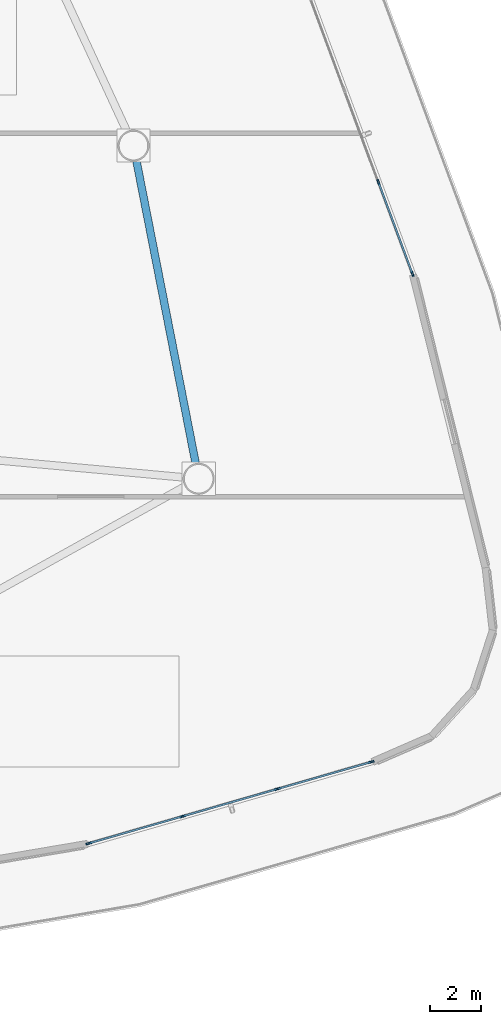
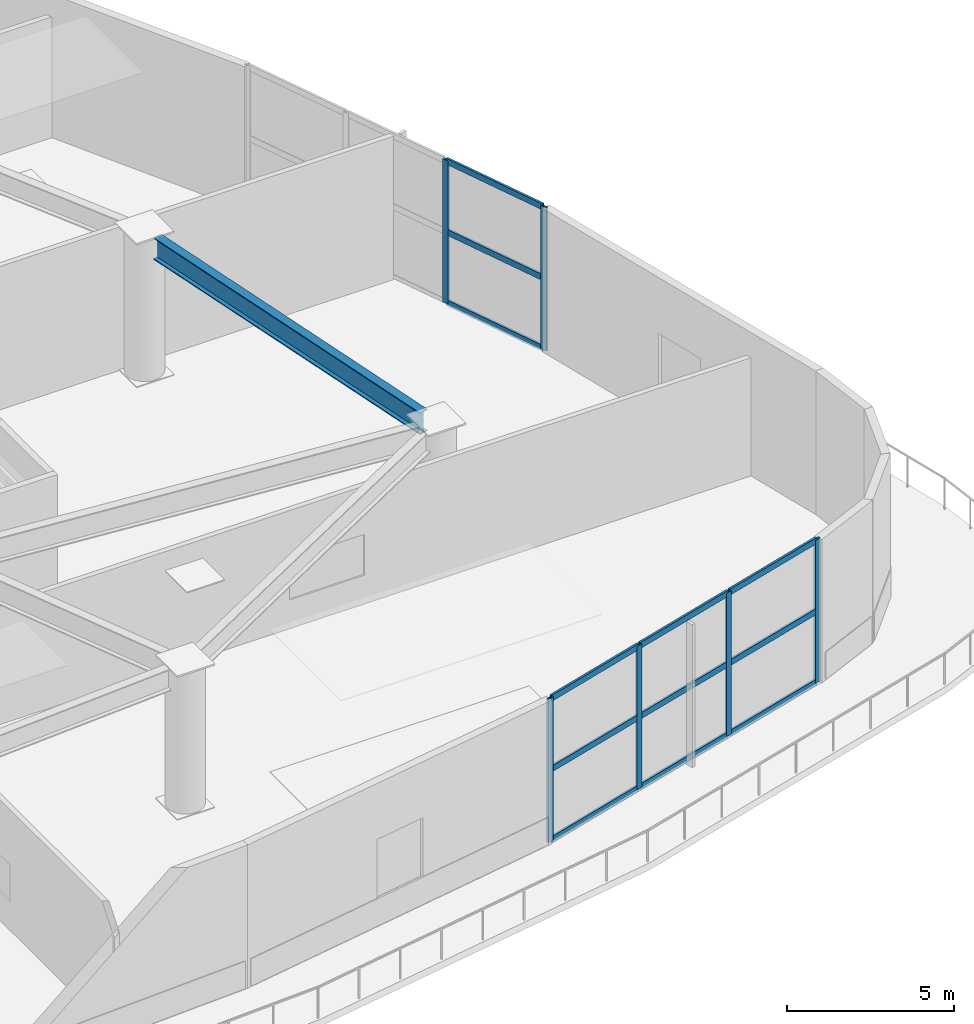
# One storey, part 8 of 26: 18 members, 1 beam, 2 elements without a shape of their own.
"""IFC4 building model written with IfcOpenShell, lengths in metres."""

from ifc_helpers import new_model, si_unit, direction, frame, origin, origin_2d, place, context, subcontext, project, spatial, hollow_rectangle, i_section, extrude, source, transform, mapped, material, layer, layer_set, material_profile, profile_set, type_object, type_shapes, element, aggregate, save


model = new_model("IFC4")

# Units and contexts
model_context = context("Model", 3, precision=1e-05, world=origin(), true_north=direction((0.0, 1.0)))
body_context = subcontext(model_context, "Body", "Model", "MODEL_VIEW")
ifc_project = project(units=[si_unit("LENGTHUNIT", "METRE"), si_unit("AREAUNIT", "SQUARE_METRE"), si_unit("VOLUMEUNIT", "CUBIC_METRE"), si_unit("PLANEANGLEUNIT", "RADIAN"), si_unit("MASSUNIT", "GRAM", prefix="KILO")], contexts=[model_context])

# Site, building, storey
site_placement = place(None, origin())
site = spatial("IfcSite", under=ifc_project, at=site_placement, CompositionType="ELEMENT")
building_placement = place(site_placement, origin())
building = spatial("IfcBuilding", under=site, at=building_placement, Name="Tavelor Broadcast Tower", CompositionType="ELEMENT")
storey_placement = place(building_placement, frame((0.0, 0.0, 5.800048828125)))
storey = spatial("IfcBuildingStorey", under=building, at=storey_placement, Name="L01", CompositionType="ELEMENT", Elevation=5.800048828125)

# Beam
ifc_material_1 = material(Name="Steel S355", Category="steel")
ifc_material_profile_1 = material_profile(ifc_material_1, i_section(OverallWidth=0.300048828125, OverallDepth=0.800048828125, WebThickness=0.017578125, FlangeThickness=0.032958984375, at=origin_2d()), Name="HEB 800")
ifc_profile_set_1 = profile_set([ifc_material_profile_1], Name="Steel S355")
beam_type = type_object("IfcBeamType", Name="Podium Spandrel Beam HEB800", PredefinedType="SPANDREL", material=ifc_profile_set_1)
beam_placement = place(storey_placement, frame((77.688720703125, 31.569091796875, 4.849853515625), z_axis=(-0.192144879801, 0.981366570231, 0.0), x_axis=(-0.981366570231, -0.192144879801, 0.0)))
element("IfcBeam", 1, at=beam_placement, inside=storey, type_object=beam_type, Name="L01 Podium Spandrel Girder 9", PredefinedType="SPANDREL", context=body_context, shape_type="SweptSolid", body=[
    extrude(i_section(OverallWidth=0.300048828125, OverallDepth=0.800048828125, WebThickness=0.017578125, FlangeThickness=0.032958984375, at=origin_2d()), origin(), (0.0, 0.0, 1.0), 12.158447265625),
])

# Curtain wall, members
ifc_material_2 = material(Name="Architectural Anodized Aluminium", Category="aluminium")
ifc_layer = layer(ifc_material_2, 0.219970703125)
ifc_layer_set = layer_set([ifc_layer], Name="Architectural Anodized Aluminium")
curtain_wall_type = type_object("IfcCurtainWallType", Name="Podium Double-Height Broadcast Curtain Wall CW01", PredefinedType="NOTDEFINED", material=ifc_layer_set)
curtain_wall_1_placement = place(storey_placement, origin())
curtain_wall_1 = element("IfcCurtainWall", 2, at=curtain_wall_1_placement, inside=storey, type_object=curtain_wall_type, Name="L01 Curtain Wall CW01 Run 4", PredefinedType="NOTDEFINED")
ifc_material_profile_2 = material_profile(ifc_material_2, hollow_rectangle(XDim=0.074951171875, YDim=0.219970703125, WallThickness=0.02197265625, at=origin_2d()), Name="RHS 75x220x22")
ifc_profile_set_2 = profile_set([ifc_material_profile_2], Name="Architectural Anodized Aluminium")
member_type_1 = type_object("IfcMemberType", Name="CW01 Extruded Aluminium Mullion 75x220", PredefinedType="MULLION", material=ifc_profile_set_2)
shared_shape_1 = source(origin(), body_context, "Body", "SweptSolid", [
    extrude(hollow_rectangle(XDim=0.074951171875, YDim=0.219970703125, WallThickness=0.02197265625, at=origin_2d()), origin(), (0.0, 0.0, 1.0), 5.25),
])
type_shapes(member_type_1, [shared_shape_1])
member_1_placement = place(storey_placement, frame((73.48388671875, 16.695068359375, 0.0), z_axis=(0.0, 0.0, 1.0), x_axis=(-0.276980615737, 0.960875506247, 0.0)))
member_1 = element("IfcMember", 3, at=member_1_placement, type_object=member_type_1, Name="CW01 mullion 1", PredefinedType="MULLION", context=body_context, shape_type="MappedRepresentation", body=[
    mapped(shared_shape_1, transform((0.0, 0.0, 0.0), scale=1.0)),
])
member_2_placement = place(storey_placement, frame((77.168701171875, 17.757080078125, 0.0), z_axis=(0.0, 0.0, 1.0), x_axis=(-0.276980615737, 0.960875506247, 0.0)))
member_2 = element("IfcMember", 4, at=member_2_placement, type_object=member_type_1, Name="CW01 mullion 2", PredefinedType="MULLION", context=body_context, shape_type="MappedRepresentation", body=[
    mapped(shared_shape_1, transform((0.0, 0.0, 0.0), scale=1.0)),
])
member_3_placement = place(storey_placement, frame((80.889404296875, 18.82958984375, 0.0), z_axis=(0.0, 0.0, 1.0), x_axis=(-0.276980615737, 0.960875506247, 0.0)))
member_3 = element("IfcMember", 5, at=member_3_placement, type_object=member_type_1, Name="CW01 mullion 3", PredefinedType="MULLION", context=body_context, shape_type="MappedRepresentation", body=[
    mapped(shared_shape_1, transform((0.0, 0.0, 0.0), scale=1.0)),
])
member_4_placement = place(storey_placement, frame((84.573974609375, 19.891845703125, 0.0), z_axis=(0.0, 0.0, 1.0), x_axis=(-0.276980615737, 0.960875506247, 0.0)))
member_4 = element("IfcMember", 6, at=member_4_placement, type_object=member_type_1, Name="CW01 mullion 4", PredefinedType="MULLION", context=body_context, shape_type="MappedRepresentation", body=[
    mapped(shared_shape_1, transform((0.0, 0.0, 0.0), scale=1.0)),
])

curtain_wall_2_placement = place(storey_placement, origin())
curtain_wall_2 = element("IfcCurtainWall", 7, at=curtain_wall_2_placement, inside=storey, type_object=curtain_wall_type, Name="L01 Curtain Wall CW01 Run 5", PredefinedType="NOTDEFINED")
member_5_placement = place(storey_placement, frame((86.185546875, 39.0390625, 0.0), z_axis=(0.0, 0.0, 1.0), x_axis=(-0.937574004687, -0.347785833144, 0.0)))
member_5 = element("IfcMember", 8, at=member_5_placement, type_object=member_type_1, Name="CW01 mullion 1", PredefinedType="MULLION", context=body_context, shape_type="MappedRepresentation", body=[
    mapped(shared_shape_1, transform((0.0, 0.0, 0.0), scale=1.0)),
])
member_6_placement = place(storey_placement, frame((84.851806640625, 42.634765625, 0.0), z_axis=(0.0, 0.0, 1.0), x_axis=(-0.937574004687, -0.347785833144, 0.0)))
member_6 = element("IfcMember", 9, at=member_6_placement, type_object=member_type_1, Name="CW01 mullion 2", PredefinedType="MULLION", context=body_context, shape_type="MappedRepresentation", body=[
    mapped(shared_shape_1, transform((0.0, 0.0, 0.0), scale=1.0)),
])

# Member
ifc_material_profile_3 = material_profile(ifc_material_2, hollow_rectangle(XDim=0.074951171875, YDim=0.219970703125, WallThickness=0.02197265625, at=origin_2d()), Name="RHS 75x220x22")
ifc_profile_set_3 = profile_set([ifc_material_profile_3], Name="Architectural Anodized Aluminium")
member_type_2 = type_object("IfcMemberType", Name="CW01 Extruded Aluminium Transom 75x220", PredefinedType="USERDEFINED", material=ifc_profile_set_3)
shared_shape_2 = source(origin(), body_context, "Body", "SweptSolid", [
    extrude(hollow_rectangle(XDim=0.074951171875, YDim=0.219970703125, WallThickness=0.02197265625, at=origin_2d()), origin(), (0.0, 0.0, 1.0), 3.759765625),
])
member_7_placement = place(storey_placement, frame((73.52001953125, 16.705322265625, 0.037353515625), z_axis=(0.960864484688, 0.277018847853, 0.0), x_axis=(-0.277018847853, 0.960864484688, 0.0)))
member_7 = element("IfcMember", 10, at=member_7_placement, type_object=member_type_2, Name="CW01 transom 1.1", ObjectType="TRANSOM", PredefinedType="USERDEFINED", context=body_context, shape_type="MappedRepresentation", body=[
    mapped(shared_shape_2, transform((0.0, 0.0, 0.0), scale=1.0)),
])

member_8_placement = place(storey_placement, frame((73.52001953125, 16.705322265625, 2.625), z_axis=(0.960864484688, 0.277018847853, 0.0), x_axis=(-0.277018847853, 0.960864484688, 0.0)))
member_8 = element("IfcMember", 11, at=member_8_placement, type_object=member_type_2, Name="CW01 transom 1.2", ObjectType="TRANSOM", PredefinedType="USERDEFINED", context=body_context, shape_type="MappedRepresentation", body=[
    mapped(shared_shape_2, transform((0.0, 0.0, 0.0), scale=1.0)),
])

member_9_placement = place(storey_placement, frame((73.52001953125, 16.705322265625, 5.21240234375), z_axis=(0.960864484688, 0.277018847853, 0.0), x_axis=(-0.277018847853, 0.960864484688, 0.0)))
member_9 = element("IfcMember", 12, at=member_9_placement, type_object=member_type_2, Name="CW01 transom 1.3", ObjectType="TRANSOM", PredefinedType="USERDEFINED", context=body_context, shape_type="MappedRepresentation", body=[
    mapped(shared_shape_2, transform((0.0, 0.0, 0.0), scale=1.0)),
])

member_10_placement = place(storey_placement, frame((80.92529296875, 18.840087890625, 0.037353515625), z_axis=(0.960886748405, 0.276941612512, 0.0), x_axis=(-0.276941612512, 0.960886748405, 0.0)))
member_10 = element("IfcMember", 13, at=member_10_placement, type_object=member_type_2, Name="CW01 transom 3.1", ObjectType="TRANSOM", PredefinedType="USERDEFINED", context=body_context, shape_type="MappedRepresentation", body=[
    mapped(shared_shape_2, transform((0.0, 0.0, 0.0), scale=1.0)),
])

member_11_placement = place(storey_placement, frame((80.92529296875, 18.840087890625, 2.625), z_axis=(0.960886748405, 0.276941612512, 0.0), x_axis=(-0.276941612512, 0.960886748405, 0.0)))
member_11 = element("IfcMember", 14, at=member_11_placement, type_object=member_type_2, Name="CW01 transom 3.2", ObjectType="TRANSOM", PredefinedType="USERDEFINED", context=body_context, shape_type="MappedRepresentation", body=[
    mapped(shared_shape_2, transform((0.0, 0.0, 0.0), scale=1.0)),
])

member_12_placement = place(storey_placement, frame((80.92529296875, 18.840087890625, 5.21240234375), z_axis=(0.960886748405, 0.276941612512, 0.0), x_axis=(-0.276941612512, 0.960886748405, 0.0)))
member_12 = element("IfcMember", 15, at=member_12_placement, type_object=member_type_2, Name="CW01 transom 3.3", ObjectType="TRANSOM", PredefinedType="USERDEFINED", context=body_context, shape_type="MappedRepresentation", body=[
    mapped(shared_shape_2, transform((0.0, 0.0, 0.0), scale=1.0)),
])

shared_shape_3 = source(origin(), body_context, "Body", "SweptSolid", [
    extrude(hollow_rectangle(XDim=0.074951171875, YDim=0.219970703125, WallThickness=0.02197265625, at=origin_2d()), origin(), (0.0, 0.0, 1.0), 3.760009765625),
])
member_13_placement = place(storey_placement, frame((86.172607421875, 39.07421875, 0.037353515625), z_axis=(-0.347762635442, 0.937582609369, 0.0), x_axis=(-0.937582609369, -0.347762635442, 0.0)))
member_13 = element("IfcMember", 16, at=member_13_placement, type_object=member_type_2, Name="CW01 transom 1.1", ObjectType="TRANSOM", PredefinedType="USERDEFINED", context=body_context, shape_type="MappedRepresentation", body=[
    mapped(shared_shape_3, transform((0.0, 0.0, 0.0), scale=1.0)),
])

member_14_placement = place(storey_placement, frame((86.172607421875, 39.07421875, 2.625), z_axis=(-0.347762635442, 0.937582609369, 0.0), x_axis=(-0.937582609369, -0.347762635442, 0.0)))
member_14 = element("IfcMember", 17, at=member_14_placement, type_object=member_type_2, Name="CW01 transom 1.2", ObjectType="TRANSOM", PredefinedType="USERDEFINED", context=body_context, shape_type="MappedRepresentation", body=[
    mapped(shared_shape_3, transform((0.0, 0.0, 0.0), scale=1.0)),
])

member_15_placement = place(storey_placement, frame((86.172607421875, 39.07421875, 5.21240234375), z_axis=(-0.347762635442, 0.937582609369, 0.0), x_axis=(-0.937582609369, -0.347762635442, 0.0)))
member_15 = element("IfcMember", 18, at=member_15_placement, type_object=member_type_2, Name="CW01 transom 1.3", ObjectType="TRANSOM", PredefinedType="USERDEFINED", context=body_context, shape_type="MappedRepresentation", body=[
    mapped(shared_shape_3, transform((0.0, 0.0, 0.0), scale=1.0)),
])

aggregate(curtain_wall_2, [member_5, member_6, member_13, member_14, member_15])

shared_shape_4 = source(origin(), body_context, "Body", "SweptSolid", [
    extrude(hollow_rectangle(XDim=0.074951171875, YDim=0.219970703125, WallThickness=0.02197265625, at=origin_2d()), origin(), (0.0, 0.0, 1.0), 3.79736328125),
])
type_shapes(member_type_2, [shared_shape_2, shared_shape_3, shared_shape_4])
member_16_placement = place(storey_placement, frame((77.20458984375, 17.767578125, 0.037353515625), z_axis=(0.960875926899, 0.276979156446, 0.0), x_axis=(-0.276979156446, 0.960875926899, 0.0)))
member_16 = element("IfcMember", 19, at=member_16_placement, type_object=member_type_2, Name="CW01 transom 2.1", ObjectType="TRANSOM", PredefinedType="USERDEFINED", context=body_context, shape_type="MappedRepresentation", body=[
    mapped(shared_shape_4, transform((0.0, 0.0, 0.0), scale=1.0)),
])

member_17_placement = place(storey_placement, frame((77.20458984375, 17.767578125, 2.625), z_axis=(0.960875926899, 0.276979156446, 0.0), x_axis=(-0.276979156446, 0.960875926899, 0.0)))
member_17 = element("IfcMember", 20, at=member_17_placement, type_object=member_type_2, Name="CW01 transom 2.2", ObjectType="TRANSOM", PredefinedType="USERDEFINED", context=body_context, shape_type="MappedRepresentation", body=[
    mapped(shared_shape_4, transform((0.0, 0.0, 0.0), scale=1.0)),
])

member_18_placement = place(storey_placement, frame((77.20458984375, 17.767578125, 5.21240234375), z_axis=(0.960875926899, 0.276979156446, 0.0), x_axis=(-0.276979156446, 0.960875926899, 0.0)))
member_18 = element("IfcMember", 21, at=member_18_placement, type_object=member_type_2, Name="CW01 transom 2.3", ObjectType="TRANSOM", PredefinedType="USERDEFINED", context=body_context, shape_type="MappedRepresentation", body=[
    mapped(shared_shape_4, transform((0.0, 0.0, 0.0), scale=1.0)),
])

aggregate(curtain_wall_1, [member_1, member_2, member_3, member_4, member_7, member_8, member_9, member_16, member_17, member_18, member_10, member_11, member_12])

save(model, "model.ifc")
